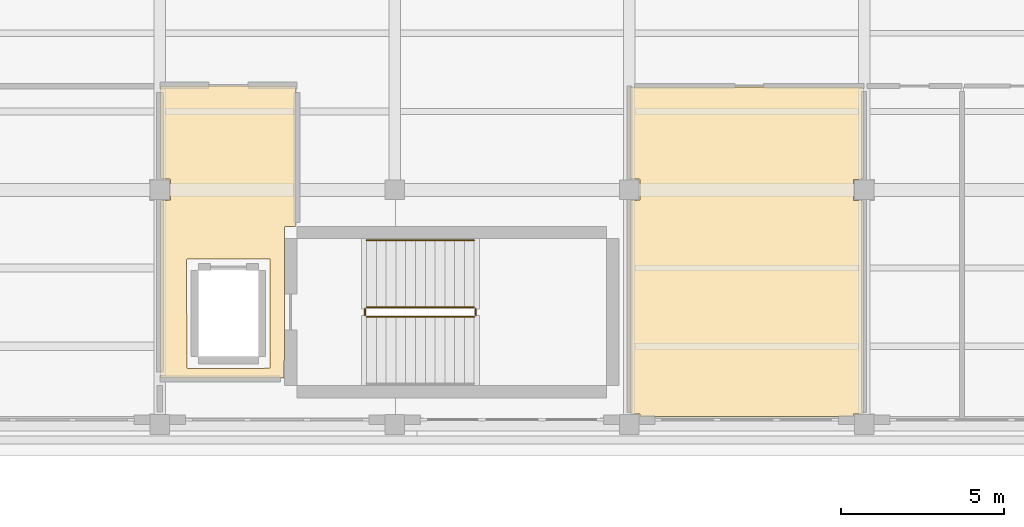
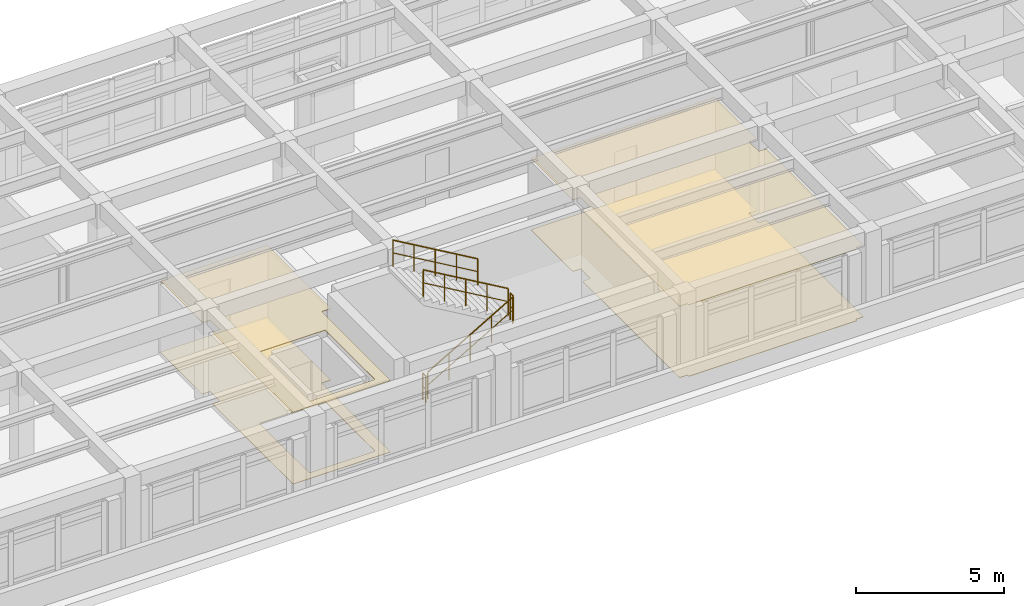
# One storey, part 17 of 19: 5 railings, 4 coverings.
"""IFC4 building model written with IfcOpenShell, lengths in metres."""

from ifc_helpers import new_model, si_unit, direction, frame, origin, origin_2d, place, context, subcontext, project, spatial, polyline, circle, outline, extrude, material, layer, layer_set, type_object, element, save


model = new_model("IFC4")

# Units and contexts
model_context = context("Model", 3, precision=1e-05, world=origin(), true_north=direction((0.0, 1.0)))
body_context = subcontext(model_context, "Body", "Model", "MODEL_VIEW")
ifc_project = project(units=[si_unit("LENGTHUNIT", "METRE"), si_unit("AREAUNIT", "SQUARE_METRE"), si_unit("VOLUMEUNIT", "CUBIC_METRE"), si_unit("PLANEANGLEUNIT", "RADIAN"), si_unit("MASSUNIT", "GRAM", prefix="KILO")], contexts=[model_context])

# Site, building, storey
site_placement = place(None, origin())
site = spatial("IfcSite", under=ifc_project, at=site_placement, CompositionType="ELEMENT")
building_placement = place(site_placement, origin())
building = spatial("IfcBuilding", under=site, at=building_placement, Name="Solenvale Faculty of Natural Sciences", CompositionType="ELEMENT")
storey_placement = place(building_placement, frame((0.0, 0.0, 27.0)))
storey = spatial("IfcBuildingStorey", under=building, at=storey_placement, Name="L06", CompositionType="ELEMENT", Elevation=27.0)

# Coverings
ifc_material_1 = material(Name="Acoustic mineral-timber ceiling", Category="wood")
ifc_layer_1 = layer(ifc_material_1, 0.02490234375)
ifc_layer_set_1 = layer_set([ifc_layer_1], Name="Acoustic mineral-timber ceiling")
covering_type_1 = type_object("IfcCoveringType", Name="COV-CEIL-AC25", PredefinedType="CEILING", material=ifc_layer_set_1)
covering_1_placement = place(storey_placement, frame((0.0, 0.0, 2.93505859375)))
element("IfcCovering", 1, at=covering_1_placement, inside=storey, type_object=covering_type_1, Name="L06 Firefighting Lobby C4 Acoustic Ceiling", PredefinedType="CEILING", context=body_context, shape_type="SweptSolid", body=[
    extrude(outline(polyline([(104.97998046875, 99.7099609375), (104.9560546875, 99.680908203125), (104.64794921875, 99.679931640625), (104.6201171875, 99.652099609375), (104.613037109375, 95.031005859375), (104.590087890625, 95.02001953125), (100.8310546875, 95.027099609375), (100.820068359375, 95.050048828125), (100.820068359375, 100.445068359375), (100.846923828125, 100.47509765625), (101.1240234375, 100.48095703125), (101.125, 101.114013671875), (101.114013671875, 101.125), (100.846923828125, 101.125), (100.820068359375, 101.152099609375), (100.820068359375, 103.949951171875), (100.8291015625, 103.970947265625), (100.85009765625, 103.97998046875), (104.949951171875, 103.97998046875), (104.970947265625, 103.970947265625), (104.97998046875, 103.949951171875), (104.97998046875, 99.7099609375)]), holes=[polyline([(101.64794921875, 98.679931640625), (101.6279296875, 98.669921875), (101.6201171875, 98.64990234375), (101.6259765625, 95.33203125), (101.64990234375, 95.320068359375), (104.16796875, 95.325927734375), (104.179931640625, 95.35009765625), (104.174072265625, 98.66796875), (104.14990234375, 98.679931640625), (101.64794921875, 98.679931640625)])]), origin(), (0.0, 0.0, 1.0), 0.02490234375),
])
covering_2_placement = place(storey_placement, frame((0.0, 0.0, 2.93505859375)))
element("IfcCovering", 2, at=covering_2_placement, inside=storey, type_object=covering_type_1, Name="L06 Public Washroom Acoustic Ceiling", PredefinedType="CEILING", context=body_context, shape_type="SweptSolid", body=[
    extrude(outline(polyline([(122.35009765625, 103.9599609375), (122.37109375, 103.950927734375), (122.3798828125, 103.929931640625), (122.3798828125, 101.152099609375), (122.35302734375, 101.125), (122.075927734375, 101.118896484375), (122.074951171875, 100.486083984375), (122.0859375, 100.47509765625), (122.35302734375, 100.47509765625), (122.3798828125, 100.445068359375), (122.375, 93.93798828125), (122.35009765625, 93.925048828125), (122.08203125, 93.925048828125), (122.072998046875, 93.85888671875), (122.044921875, 93.840087890625), (115.554931640625, 93.840087890625), (115.527099609375, 93.85888671875), (115.51806640625, 93.925048828125), (115.23291015625, 93.929931640625), (115.219970703125, 93.955078125), (115.219970703125, 100.445068359375), (115.2470703125, 100.47509765625), (115.52392578125, 100.48095703125), (115.52490234375, 101.114013671875), (115.513916015625, 101.125), (115.2470703125, 101.125), (115.219970703125, 101.152099609375), (115.22509765625, 103.947021484375), (115.25, 103.9599609375), (122.35009765625, 103.9599609375)])), origin(), (0.0, 0.0, 1.0), 0.02490234375),
])
ifc_material_2 = material(Name="Polished slate terrazzo flooring", Category="masonry")
ifc_layer_2 = layer(ifc_material_2, 0.01806640625)
ifc_layer_set_2 = layer_set([ifc_layer_2], Name="Polished slate terrazzo flooring")
covering_type_2 = type_object("IfcCoveringType", Name="COV-FLR-TRZ18", PredefinedType="FLOORING", material=ifc_layer_set_2)
covering_3_placement = place(storey_placement, origin())
element("IfcCovering", 3, at=covering_3_placement, inside=storey, type_object=covering_type_2, Name="L06 Firefighting Lobby C4 Floor Finish", PredefinedType="FLOORING", context=body_context, shape_type="SweptSolid", body=[
    extrude(outline(polyline([(104.97998046875, 99.7099609375), (104.9560546875, 99.680908203125), (104.64794921875, 99.679931640625), (104.6201171875, 99.652099609375), (104.613037109375, 95.031005859375), (104.590087890625, 95.02001953125), (100.8310546875, 95.027099609375), (100.820068359375, 95.050048828125), (100.820068359375, 100.445068359375), (100.846923828125, 100.47509765625), (101.1240234375, 100.48095703125), (101.125, 101.114013671875), (101.114013671875, 101.125), (100.846923828125, 101.125), (100.820068359375, 101.152099609375), (100.820068359375, 103.949951171875), (100.8291015625, 103.970947265625), (100.85009765625, 103.97998046875), (104.949951171875, 103.97998046875), (104.970947265625, 103.970947265625), (104.97998046875, 103.949951171875), (104.97998046875, 99.7099609375)]), holes=[polyline([(101.64794921875, 98.679931640625), (101.6279296875, 98.669921875), (101.6201171875, 98.64990234375), (101.6259765625, 95.33203125), (101.64990234375, 95.320068359375), (104.16796875, 95.325927734375), (104.179931640625, 95.35009765625), (104.174072265625, 98.66796875), (104.14990234375, 98.679931640625), (101.64794921875, 98.679931640625)])]), origin(), (0.0, 0.0, 1.0), 0.01806640625),
])
covering_4_placement = place(storey_placement, origin())
element("IfcCovering", 4, at=covering_4_placement, inside=storey, type_object=covering_type_2, Name="L06 Public Washroom Floor Finish", PredefinedType="FLOORING", context=body_context, shape_type="SweptSolid", body=[
    extrude(outline(polyline([(122.35009765625, 103.9599609375), (122.37109375, 103.950927734375), (122.3798828125, 103.929931640625), (122.3798828125, 101.152099609375), (122.35302734375, 101.125), (122.075927734375, 101.118896484375), (122.074951171875, 100.486083984375), (122.0859375, 100.47509765625), (122.35302734375, 100.47509765625), (122.3798828125, 100.445068359375), (122.375, 93.93798828125), (122.35009765625, 93.925048828125), (122.08203125, 93.925048828125), (122.072998046875, 93.85888671875), (122.044921875, 93.840087890625), (115.554931640625, 93.840087890625), (115.527099609375, 93.85888671875), (115.51806640625, 93.925048828125), (115.23291015625, 93.929931640625), (115.219970703125, 93.955078125), (115.219970703125, 100.445068359375), (115.2470703125, 100.47509765625), (115.52392578125, 100.48095703125), (115.52490234375, 101.114013671875), (115.513916015625, 101.125), (115.2470703125, 101.125), (115.219970703125, 101.152099609375), (115.22509765625, 103.947021484375), (115.25, 103.9599609375), (122.35009765625, 103.9599609375)])), origin(), (0.0, 0.0, 1.0), 0.01806640625),
])

# Railings
ifc_material_3 = material(Name="Stainless steel Grade 304", Category="steel")
railing_type_1 = type_object("IfcRailingType", Name="RL-GRD-1100", PredefinedType="GUARDRAIL", material=ifc_material_3)
railing_1_placement = place(storey_placement, frame((107.139892578125, 96.89990234375, 0.175048828125)))
element("IfcRailing", 5, at=railing_1_placement, inside=storey, type_object=railing_type_1, Name="L06 ST-04 stair guard 1", PredefinedType="GUARDRAIL", context=body_context, shape_type="SweptSolid", body=[
    extrude(circle(Radius=0.02392578125, at=origin_2d()), frame((0.0, 0.0, 1.09619140625), z_axis=(0.863776583165, 0.0, 0.503874998761), x_axis=(0.0, 1.0, 0.0)), (0.0, 0.0, 1.0), 3.820556640625),
    extrude(circle(Radius=0.01611328125, at=origin_2d()), frame((0.0, 0.0, 0.56005859375), z_axis=(0.863776583165, 0.0, 0.503874998761), x_axis=(0.0, 1.0, 0.0)), (0.0, 0.0, 1.0), 3.820556640625),
    extrude(circle(Radius=0.02099609375, at=origin_2d()), origin(), (0.0, 0.0, 1.0), 1.072021484375),
    extrude(circle(Radius=0.02099609375, at=origin_2d()), frame((0.824951171875, 0.0, 0.481201171875)), (0.0, 0.0, 1.0), 1.072021484375),
    extrude(circle(Radius=0.02099609375, at=origin_2d()), frame((1.64990234375, 0.0, 0.96240234375)), (0.0, 0.0, 1.0), 1.072021484375),
    extrude(circle(Radius=0.02099609375, at=origin_2d()), frame((2.47509765625, 0.0, 1.44384765625)), (0.0, 0.0, 1.0), 1.072021484375),
    extrude(circle(Radius=0.02099609375, at=origin_2d()), frame((3.300048828125, 0.0, 1.925048828125)), (0.0, 0.0, 1.0), 1.072021484375),
])
railing_2_placement = place(storey_placement, frame((110.489990234375, 96.949951171875, 2.10009765625)))
element("IfcRailing", 6, at=railing_2_placement, inside=storey, type_object=railing_type_1, Name="L06 ST-04 stair guard 2", PredefinedType="GUARDRAIL", context=body_context, shape_type="SweptSolid", body=[
    extrude(circle(Radius=0.02392578125, at=origin_2d()), frame((0.0, 0.0, 1.09619140625), z_axis=(0.0, 1.0, 0.0), x_axis=(-1.0, 0.0, 0.0)), (0.0, 0.0, 1.0), 0.199951171875),
    extrude(circle(Radius=0.01611328125, at=origin_2d()), frame((0.0, 0.0, 0.56005859375), z_axis=(0.0, 1.0, 0.0), x_axis=(-1.0, 0.0, 0.0)), (0.0, 0.0, 1.0), 0.199951171875),
    extrude(circle(Radius=0.02099609375, at=origin_2d()), origin(), (0.0, 0.0, 1.0), 1.072021484375),
    extrude(circle(Radius=0.02099609375, at=origin_2d()), frame((0.0, 0.199951171875, 0.0)), (0.0, 0.0, 1.0), 1.072021484375),
])
railing_3_placement = place(storey_placement, frame((110.43994140625, 97.199951171875, 2.27490234375)))
element("IfcRailing", 7, at=railing_3_placement, inside=storey, type_object=railing_type_1, Name="L06 ST-04 stair guard 3", PredefinedType="GUARDRAIL", context=body_context, shape_type="SweptSolid", body=[
    extrude(circle(Radius=0.02392578125, at=origin_2d()), frame((0.0, 0.0, 1.09619140625), z_axis=(-0.863776583165, 0.0, 0.503874998761), x_axis=(0.0, -1.0, 0.0)), (0.0, 0.0, 1.0), 3.820556640625),
    extrude(circle(Radius=0.01611328125, at=origin_2d()), frame((0.0, 0.0, 0.56005859375), z_axis=(-0.863776583165, 0.0, 0.503874998761), x_axis=(0.0, -1.0, 0.0)), (0.0, 0.0, 1.0), 3.820556640625),
    extrude(circle(Radius=0.02099609375, at=origin_2d()), origin(), (0.0, 0.0, 1.0), 1.072021484375),
    extrude(circle(Radius=0.02099609375, at=origin_2d()), frame((-0.824951171875, 0.0, 0.481201171875)), (0.0, 0.0, 1.0), 1.072021484375),
    extrude(circle(Radius=0.02099609375, at=origin_2d()), frame((-1.64990234375, 0.0, 0.96240234375)), (0.0, 0.0, 1.0), 1.072021484375),
    extrude(circle(Radius=0.02099609375, at=origin_2d()), frame((-2.47509765625, 0.0, 1.44384765625)), (0.0, 0.0, 1.0), 1.072021484375),
    extrude(circle(Radius=0.02099609375, at=origin_2d()), frame((-3.300048828125, 0.0, 1.925048828125)), (0.0, 0.0, 1.0), 1.072021484375),
])
railing_4_placement = place(storey_placement, frame((107.090087890625, 96.949951171875, 0.0)))
element("IfcRailing", 8, at=railing_4_placement, inside=storey, type_object=railing_type_1, Name="L06 ST-04 stair guard 4", PredefinedType="GUARDRAIL", context=body_context, shape_type="SweptSolid", body=[
    extrude(circle(Radius=0.02392578125, at=origin_2d()), frame((0.0, 0.0, 1.09619140625), z_axis=(0.0, 1.0, 0.0), x_axis=(-1.0, 0.0, 0.0)), (0.0, 0.0, 1.0), 0.199951171875),
    extrude(circle(Radius=0.01611328125, at=origin_2d()), frame((0.0, 0.0, 0.56005859375), z_axis=(0.0, 1.0, 0.0), x_axis=(-1.0, 0.0, 0.0)), (0.0, 0.0, 1.0), 0.199951171875),
    extrude(circle(Radius=0.02099609375, at=origin_2d()), origin(), (0.0, 0.0, 1.0), 1.072021484375),
    extrude(circle(Radius=0.02099609375, at=origin_2d()), frame((0.0, 0.199951171875, 0.0)), (0.0, 0.0, 1.0), 1.072021484375),
])
railing_type_2 = type_object("IfcRailingType", Name="RL-HND-900", PredefinedType="HANDRAIL", material=ifc_material_3)
railing_5_placement = place(storey_placement, frame((110.43994140625, 99.25, 2.27490234375)))
element("IfcRailing", 9, at=railing_5_placement, inside=storey, type_object=railing_type_2, Name="L06 ST-04 stair handrail 2", PredefinedType="HANDRAIL", context=body_context, shape_type="SweptSolid", body=[
    extrude(circle(Radius=0.02392578125, at=origin_2d()), frame((0.0, 0.0, 1.0751953125), z_axis=(-0.863776583165, 0.0, 0.503874998761), x_axis=(0.0, -1.0, 0.0)), (0.0, 0.0, 1.0), 3.820556640625),
    extrude(circle(Radius=0.01611328125, at=origin_2d()), frame((0.0, 0.0, 0.549560546875), z_axis=(-0.863776583165, 0.0, 0.503874998761), x_axis=(0.0, -1.0, 0.0)), (0.0, 0.0, 1.0), 3.820556640625),
    extrude(circle(Radius=0.02099609375, at=origin_2d()), origin(), (0.0, 0.0, 1.0), 1.051025390625),
    extrude(circle(Radius=0.02099609375, at=origin_2d()), frame((-0.824951171875, 0.0, 0.481201171875)), (0.0, 0.0, 1.0), 1.051025390625),
    extrude(circle(Radius=0.02099609375, at=origin_2d()), frame((-1.64990234375, 0.0, 0.96240234375)), (0.0, 0.0, 1.0), 1.051025390625),
    extrude(circle(Radius=0.02099609375, at=origin_2d()), frame((-2.47509765625, 0.0, 1.44384765625)), (0.0, 0.0, 1.0), 1.051025390625),
    extrude(circle(Radius=0.02099609375, at=origin_2d()), frame((-3.300048828125, 0.0, 1.925048828125)), (0.0, 0.0, 1.0), 1.051025390625),
])

save(model, "model.ifc")
